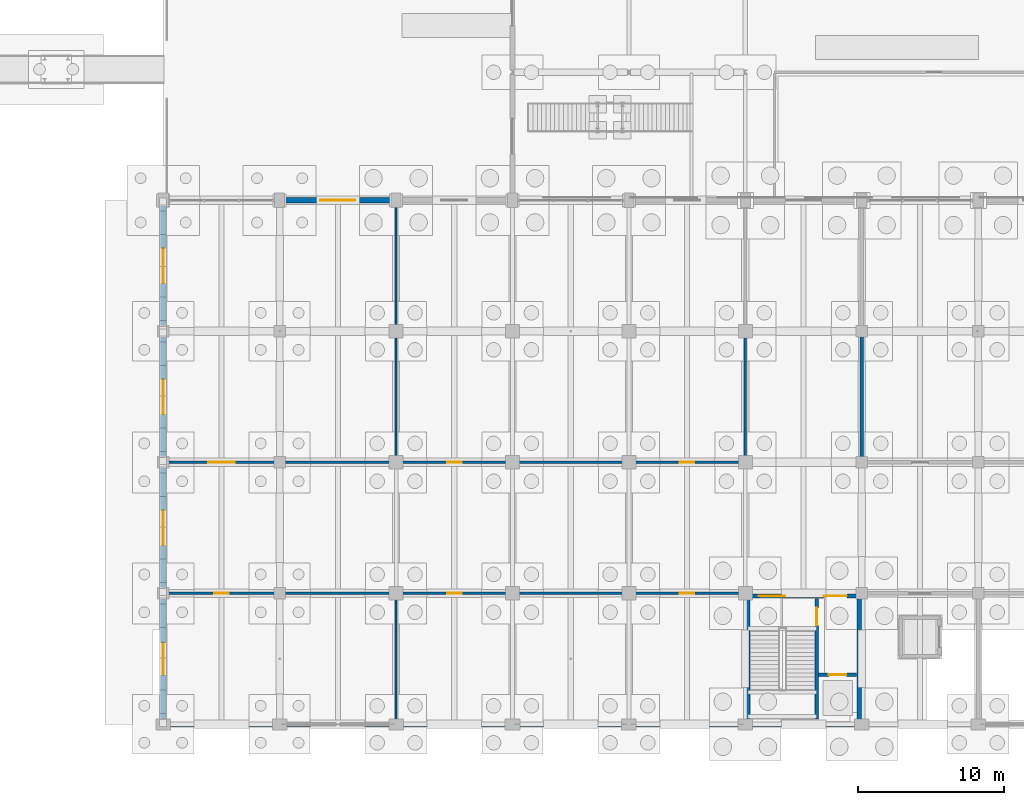
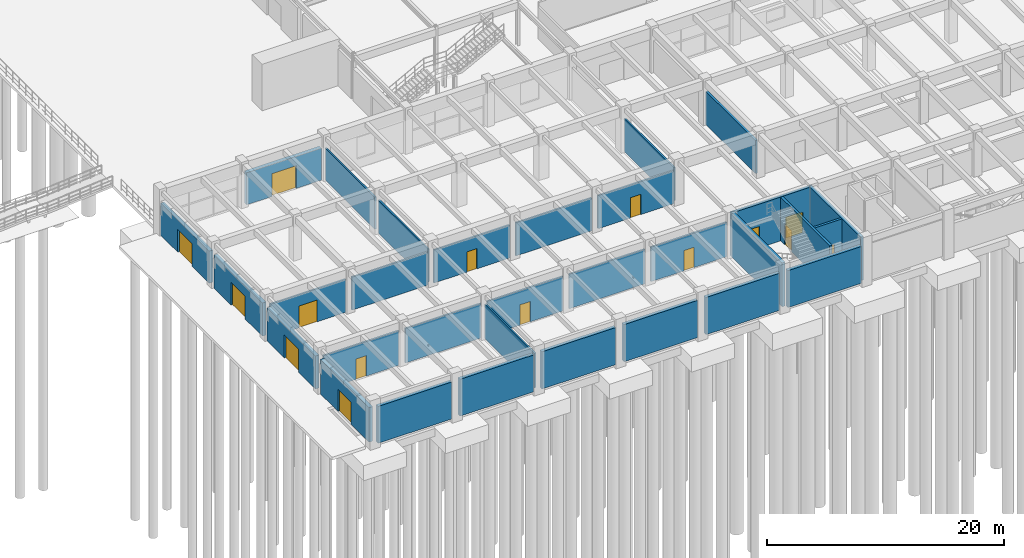
# One storey, part 101 of 147: 31 walls, 15 doors, 15 openings.
"""IFC4 building model written with IfcOpenShell, lengths in metres."""

from ifc_helpers import new_model, si_unit, direction, frame, frame_2d, origin, place, context, subcontext, project, spatial, rectangle, extrude, material, layer, layer_set, type_object, element, fill, save


model = new_model("IFC4")

# Units and contexts
model_context = context("Model", 3, precision=1e-05, world=origin(), true_north=direction((0.0, 1.0)))
body_context = subcontext(model_context, "Body", "Model", "MODEL_VIEW")
ifc_project = project(units=[si_unit("LENGTHUNIT", "METRE"), si_unit("AREAUNIT", "SQUARE_METRE"), si_unit("VOLUMEUNIT", "CUBIC_METRE"), si_unit("PLANEANGLEUNIT", "RADIAN"), si_unit("MASSUNIT", "GRAM", prefix="KILO")], contexts=[model_context])

# Site, building, storey
site_placement = place(None, origin())
site = spatial("IfcSite", under=ifc_project, at=site_placement, CompositionType="ELEMENT")
building_placement = place(site_placement, origin())
building = spatial("IfcBuilding", under=site, at=building_placement, Name="Varnabhumi Central Station", CompositionType="ELEMENT")
storey_placement = place(building_placement, origin())
storey = spatial("IfcBuildingStorey", under=building, at=storey_placement, Name="L00", CompositionType="ELEMENT", Elevation=0.0)

# Walls
ifc_material_1 = material(Name="Autoclaved aerated blockwork masonry", Category="masonry")
ifc_layer_1 = layer(ifc_material_1, 0.219970703125, Name="Autoclaved aerated blockwork masonry", Category="masonry")
ifc_layer_set_1 = layer_set([ifc_layer_1], Name="Autoclaved aerated blockwork masonry")
wall_type_1 = type_object("IfcWallType", Name="WAL-COMP-AAC-220", PredefinedType="SOLIDWALL", material=ifc_layer_set_1)
wall_1_placement = place(storey_placement, frame((48.0, 18.300048828125, 0.0), z_axis=(0.0, 0.0, 1.0), x_axis=(0.0, 1.0, 0.0)))
element("IfcWall", 1, at=wall_1_placement, inside=storey, type_object=wall_type_1, Name="Inbound and Outbound Parcel Store E Partition 1", PredefinedType="SOLIDWALL", context=body_context, shape_type="SweptSolid", body=[
    extrude(rectangle(XDim=8.39990234375, YDim=0.219970703125, at=frame_2d((4.199951171875, 0.0))), origin(), (0.0, 0.0, 1.0), 3.409912109375),
])
ifc_material_2 = material(Name="Concrete M40", Category="concrete")
ifc_layer_2 = layer(ifc_material_2, 0.300048828125, Name="Concrete M40", Category="concrete")
ifc_layer_set_2 = layer_set([ifc_layer_2], Name="Concrete M40")
wall_type_2 = type_object("IfcWallType", Name="WAL-CORE-RC-300", PredefinedType="SHEAR", material=ifc_layer_set_2)
for number, where, z_axis, x_axis, name in (
    (2, (40.179931640625, 0.179931640625, 0.0), (0.0, 0.0, 1.0), (0.0, 1.0, 0.0), "SC1 L00 West Shear Wall"),
    (3, (47.820068359375, 0.179931640625, 0.0), (0.0, 0.0, 1.0), (0.0, 1.0, 0.0), "SC1 L00 East Shear Wall"),
):
    element("IfcWall", number, at=place(storey_placement, frame(where, z_axis=z_axis, x_axis=x_axis)), inside=storey, type_object=wall_type_2, Name=name, PredefinedType="SHEAR", context=body_context, shape_type="SweptSolid", body=[
        extrude(rectangle(XDim=8.64013671875, YDim=0.300048828125, at=frame_2d((4.320068359375, 0.0))), origin(), (0.0, 0.0, 1.0), 4.52001953125),
    ])

# Wall, openings, doors
wall_2_placement = place(storey_placement, frame((40.030029296875, 8.820068359375, 0.0), z_axis=(0.0, 0.0, 1.0), x_axis=(1.0, 0.0, 0.0)))
wall_2 = element("IfcWall", 4, at=wall_2_placement, inside=storey, type_object=wall_type_2, Name="SC1 L00 Corridor Shear Wall", PredefinedType="SHEAR", context=body_context, shape_type="SweptSolid", body=[
    extrude(rectangle(XDim=7.93994140625, YDim=0.300048828125, at=frame_2d((3.969970703125, 0.0))), origin(), (0.0, 0.0, 1.0), 4.52001953125),
])
opening_1_placement = place(wall_2_placement, frame((5.35009765625, 0.0, 0.0)))
opening_1 = element("IfcOpeningElement", 5, at=opening_1_placement, cuts=wall_2, Name="Opening FD-60D", PredefinedType="OPENING", context=body_context, shape_type="SweptSolid", body=[
    extrude(rectangle(XDim=1.60009765625, YDim=2.14990234375, at=frame_2d((0.800048828125, 1.074951171875))), frame((0.0, 0.159912109375, 0.0), z_axis=(0.0, -1.0, 0.0), x_axis=(1.0, 0.0, 0.0)), (0.0, 0.0, 1.0), 0.320068359375),
])
opening_2_placement = place(wall_2_placement, frame((0.89990234375, 0.0, 0.0)))
opening_2 = element("IfcOpeningElement", 6, at=opening_2_placement, cuts=wall_2, Name="Opening FD-120D", PredefinedType="OPENING", context=body_context, shape_type="SweptSolid", body=[
    extrude(rectangle(XDim=1.800048828125, YDim=2.199951171875, at=frame_2d((0.89990234375, 1.10009765625))), frame((0.0, 0.159912109375, 0.0), z_axis=(0.0, -1.0, 0.0), x_axis=(1.0, 0.0, 0.0)), (0.0, 0.0, 1.0), 0.320068359375),
])
ifc_material_3 = material(Name="Stainless steel Grade 316", Category="steel")
door_type_1 = type_object("IfcDoorType", Name="DR-FIRE-120-1800", OperationType="NOTDEFINED", PredefinedType="DOOR", material=ifc_material_3)
door_1_placement = place(opening_2_placement, origin())
door_1 = element("IfcDoor", 7, at=door_1_placement, inside=storey, type_object=door_type_1, Name="ST-S1 L00 Discharge Door", OperationType="DOUBLE_DOOR_SINGLE_SWING", OverallHeight=2.199951171875, OverallWidth=1.800048828125, PredefinedType="DOOR", context=body_context, shape_type="SweptSolid", body=[
    extrude(rectangle(XDim=1.800048828125, YDim=2.199951171875, at=frame_2d((0.89990234375, 1.10009765625))), frame((0.0, 0.02490234375, 0.0), z_axis=(0.0, -1.0, 0.0), x_axis=(1.0, 0.0, 0.0)), (0.0, 0.0, 1.0), 0.050048828125),
])
fill(opening_2, door_1)
ifc_material_4 = material(Name="Intumescent-treated hardwood timber", Category="wood")
door_type_2 = type_object("IfcDoorType", Name="DR-FIRE-60-1600", OperationType="NOTDEFINED", PredefinedType="DOOR", material=ifc_material_4)
door_2_placement = place(opening_1_placement, origin())
door_2 = element("IfcDoor", 8, at=door_2_placement, inside=storey, type_object=door_type_2, Name="SC1 L00 Lobby Fire Door", OperationType="DOUBLE_DOOR_SINGLE_SWING", OverallHeight=2.14990234375, OverallWidth=1.60009765625, PredefinedType="DOOR", context=body_context, shape_type="SweptSolid", body=[
    extrude(rectangle(XDim=1.60009765625, YDim=2.14990234375, at=frame_2d((0.800048828125, 1.074951171875))), frame((0.0, 0.02490234375, 0.0), z_axis=(0.0, -1.0, 0.0), x_axis=(1.0, 0.0, 0.0)), (0.0, 0.0, 1.0), 0.050048828125),
])
fill(opening_1, door_2)

# Wall, opening, door
ifc_material_5 = material(Name="Chunar sandstone masonry", Category="masonry")
ifc_layer_3 = layer(ifc_material_5, 0.360107421875, Name="Chunar sandstone masonry", Category="masonry")
ifc_layer_set_3 = layer_set([ifc_layer_3], Name="Chunar sandstone masonry")
wall_type_3 = type_object("IfcWallType", Name="WAL-EXT-SANDSTONE-360", PredefinedType="SOLIDWALL", material=ifc_layer_set_3)
wall_3_placement = place(storey_placement, frame((8.344970703125, 36.0, 0.0), z_axis=(0.0, 0.0, 1.0), x_axis=(1.0, 0.0, 0.0)))
wall_3 = element("IfcWall", 9, at=wall_3_placement, inside=storey, type_object=wall_type_3, Name="South Spine Wall L00-2", PredefinedType="SOLIDWALL", context=body_context, shape_type="SweptSolid", body=[
    extrude(rectangle(XDim=7.31005859375, YDim=0.360107421875, at=frame_2d((3.655029296875, 0.0))), origin(), (0.0, 0.0, 1.0), 3.31005859375),
])
opening_3_placement = place(wall_3_placement, frame((2.455078125, 0.0, 0.0)))
opening_3 = element("IfcOpeningElement", 10, at=opening_3_placement, cuts=wall_3, Name="Opening ED-1", PredefinedType="OPENING", context=body_context, shape_type="SweptSolid", body=[
    extrude(rectangle(XDim=2.39990234375, YDim=2.35009765625, at=frame_2d((1.199951171875, 1.175048828125))), frame((0.0, 0.18994140625, 0.0), z_axis=(0.0, -1.0, 0.0), x_axis=(1.0, 0.0, 0.0)), (0.0, 0.0, 1.0), 0.380126953125),
])
ifc_material_6 = material(Name="Anodised aluminium 6063-T6", Category="aluminium")
door_type_3 = type_object("IfcDoorType", Name="DR-EXT-PORTAL-2400", OperationType="NOTDEFINED", PredefinedType="DOOR", material=ifc_material_6)
door_3_placement = place(opening_3_placement, origin())
door_3 = element("IfcDoor", 11, at=door_3_placement, inside=storey, type_object=door_type_3, Name="South Spine Portal 2", OperationType="DOUBLE_DOOR_SINGLE_SWING", OverallHeight=2.35009765625, OverallWidth=2.39990234375, PredefinedType="DOOR", context=body_context, shape_type="SweptSolid", body=[
    extrude(rectangle(XDim=2.39990234375, YDim=2.35009765625, at=frame_2d((1.199951171875, 1.175048828125))), frame((0.0, 0.02490234375, 0.0), z_axis=(0.0, -1.0, 0.0), x_axis=(1.0, 0.0, 0.0)), (0.0, 0.0, 1.0), 0.050048828125),
])
fill(opening_3, door_3)

wall_4_placement = place(storey_placement, frame((0.0, 0.3701171875, 0.0), z_axis=(0.0, 0.0, 1.0), x_axis=(0.0, 1.0, 0.0)))
wall_4 = element("IfcWall", 12, at=wall_4_placement, inside=storey, type_object=wall_type_3, Name="South Wing E End Wall L00-1", PredefinedType="SOLIDWALL", context=body_context, shape_type="SweptSolid", body=[
    extrude(rectangle(XDim=8.22998046875, YDim=0.360107421875, at=frame_2d((4.114990234375, 0.0))), origin(), (0.0, 0.0, 1.0), 3.56005859375),
])
opening_4_placement = place(wall_4_placement, frame((3.030029296875, 0.0, 0.0)))
opening_4 = element("IfcOpeningElement", 13, at=opening_4_placement, cuts=wall_4, Name="Opening ED-5", PredefinedType="OPENING", context=body_context, shape_type="SweptSolid", body=[
    extrude(rectangle(XDim=2.199951171875, YDim=2.300048828125, at=frame_2d((1.10009765625, 1.14990234375))), frame((0.0, 0.18994140625, 0.0), z_axis=(0.0, -1.0, 0.0), x_axis=(1.0, 0.0, 0.0)), (0.0, 0.0, 1.0), 0.380126953125),
])
door_type_4 = type_object("IfcDoorType", Name="DR-EXT-PLANT-2200", OperationType="NOTDEFINED", PredefinedType="DOOR", material=ifc_material_3)
door_4_placement = place(opening_4_placement, frame((2.199951171875, 0.0, 0.0), z_axis=(0.0, 0.0, 1.0), x_axis=(-1.0, 0.0, 0.0)))
door_4 = element("IfcDoor", 14, at=door_4_placement, inside=storey, type_object=door_type_4, Name="South E Service Exit Door", OperationType="DOUBLE_DOOR_SINGLE_SWING", OverallHeight=2.300048828125, OverallWidth=2.199951171875, PredefinedType="DOOR", context=body_context, shape_type="SweptSolid", body=[
    extrude(rectangle(XDim=2.199951171875, YDim=2.300048828125, at=frame_2d((1.10009765625, 1.14990234375))), frame((0.0, 0.02490234375, 0.0), z_axis=(0.0, -1.0, 0.0), x_axis=(1.0, 0.0, 0.0)), (0.0, 0.0, 1.0), 0.050048828125),
])
fill(opening_4, door_4)

wall_5_placement = place(storey_placement, frame((0.0, 9.39990234375, 0.0), z_axis=(0.0, 0.0, 1.0), x_axis=(0.0, 1.0, 0.0)))
wall_5 = element("IfcWall", 15, at=wall_5_placement, inside=storey, type_object=wall_type_3, Name="South Wing E End Wall L00-2", PredefinedType="SOLIDWALL", context=body_context, shape_type="SweptSolid", body=[
    extrude(rectangle(XDim=8.2001953125, YDim=0.360107421875, at=frame_2d((4.10009765625, 0.0))), origin(), (0.0, 0.0, 1.0), 3.409912109375),
])
opening_5_placement = place(wall_5_placement, frame((2.89990234375, 0.0, 0.0)))
opening_5 = element("IfcOpeningElement", 16, at=opening_5_placement, cuts=wall_5, Name="Opening ED-1", PredefinedType="OPENING", context=body_context, shape_type="SweptSolid", body=[
    extrude(rectangle(XDim=2.39990234375, YDim=2.35009765625, at=frame_2d((1.199951171875, 1.175048828125))), frame((0.0, 0.18994140625, 0.0), z_axis=(0.0, -1.0, 0.0), x_axis=(1.0, 0.0, 0.0)), (0.0, 0.0, 1.0), 0.380126953125),
])
door_5_placement = place(opening_5_placement, frame((2.39990234375, 0.0, 0.0), z_axis=(0.0, 0.0, 1.0), x_axis=(-1.0, 0.0, 0.0)))
door_5 = element("IfcDoor", 17, at=door_5_placement, inside=storey, type_object=door_type_3, Name="South E Exit Door 2", OperationType="DOUBLE_DOOR_SINGLE_SWING", OverallHeight=2.35009765625, OverallWidth=2.39990234375, PredefinedType="DOOR", context=body_context, shape_type="SweptSolid", body=[
    extrude(rectangle(XDim=2.39990234375, YDim=2.35009765625, at=frame_2d((1.199951171875, 1.175048828125))), frame((0.0, 0.02490234375, 0.0), z_axis=(0.0, -1.0, 0.0), x_axis=(1.0, 0.0, 0.0)), (0.0, 0.0, 1.0), 0.050048828125),
])
fill(opening_5, door_5)

wall_6_placement = place(storey_placement, frame((0.0, 18.39990234375, 0.0), z_axis=(0.0, 0.0, 1.0), x_axis=(0.0, 1.0, 0.0)))
wall_6 = element("IfcWall", 18, at=wall_6_placement, inside=storey, type_object=wall_type_3, Name="South Wing E End Wall L00-3", PredefinedType="SOLIDWALL", context=body_context, shape_type="SweptSolid", body=[
    extrude(rectangle(XDim=8.2001953125, YDim=0.360107421875, at=frame_2d((4.10009765625, 0.0))), origin(), (0.0, 0.0, 1.0), 3.409912109375),
])
opening_6_placement = place(wall_6_placement, frame((2.89990234375, 0.0, 0.0)))
opening_6 = element("IfcOpeningElement", 19, at=opening_6_placement, cuts=wall_6, Name="Opening ED-1", PredefinedType="OPENING", context=body_context, shape_type="SweptSolid", body=[
    extrude(rectangle(XDim=2.39990234375, YDim=2.35009765625, at=frame_2d((1.199951171875, 1.175048828125))), frame((0.0, 0.18994140625, 0.0), z_axis=(0.0, -1.0, 0.0), x_axis=(1.0, 0.0, 0.0)), (0.0, 0.0, 1.0), 0.380126953125),
])
door_6_placement = place(opening_6_placement, frame((2.39990234375, 0.0, 0.0), z_axis=(0.0, 0.0, 1.0), x_axis=(-1.0, 0.0, 0.0)))
door_6 = element("IfcDoor", 20, at=door_6_placement, inside=storey, type_object=door_type_3, Name="South E Exit Door 3", OperationType="DOUBLE_DOOR_SINGLE_SWING", OverallHeight=2.35009765625, OverallWidth=2.39990234375, PredefinedType="DOOR", context=body_context, shape_type="SweptSolid", body=[
    extrude(rectangle(XDim=2.39990234375, YDim=2.35009765625, at=frame_2d((1.199951171875, 1.175048828125))), frame((0.0, 0.02490234375, 0.0), z_axis=(0.0, -1.0, 0.0), x_axis=(1.0, 0.0, 0.0)), (0.0, 0.0, 1.0), 0.050048828125),
])
fill(opening_6, door_6)

wall_7_placement = place(storey_placement, frame((0.0, 27.39990234375, 0.0), z_axis=(0.0, 0.0, 1.0), x_axis=(0.0, 1.0, 0.0)))
wall_7 = element("IfcWall", 21, at=wall_7_placement, inside=storey, type_object=wall_type_3, Name="South Wing E End Wall L00-4", PredefinedType="SOLIDWALL", context=body_context, shape_type="SweptSolid", body=[
    extrude(rectangle(XDim=8.2001953125, YDim=0.360107421875, at=frame_2d((4.10009765625, 0.0))), origin(), (0.0, 0.0, 1.0), 3.31005859375),
])
opening_7_placement = place(wall_7_placement, frame((2.89990234375, 0.0, 0.0)))
opening_7 = element("IfcOpeningElement", 22, at=opening_7_placement, cuts=wall_7, Name="Opening ED-1", PredefinedType="OPENING", context=body_context, shape_type="SweptSolid", body=[
    extrude(rectangle(XDim=2.39990234375, YDim=2.35009765625, at=frame_2d((1.199951171875, 1.175048828125))), frame((0.0, 0.18994140625, 0.0), z_axis=(0.0, -1.0, 0.0), x_axis=(1.0, 0.0, 0.0)), (0.0, 0.0, 1.0), 0.380126953125),
])
door_7_placement = place(opening_7_placement, frame((2.39990234375, 0.0, 0.0), z_axis=(0.0, 0.0, 1.0), x_axis=(-1.0, 0.0, 0.0)))
door_7 = element("IfcDoor", 23, at=door_7_placement, inside=storey, type_object=door_type_3, Name="South E Exit Door 4", OperationType="DOUBLE_DOOR_SINGLE_SWING", OverallHeight=2.35009765625, OverallWidth=2.39990234375, PredefinedType="DOOR", context=body_context, shape_type="SweptSolid", body=[
    extrude(rectangle(XDim=2.39990234375, YDim=2.35009765625, at=frame_2d((1.199951171875, 1.175048828125))), frame((0.0, 0.02490234375, 0.0), z_axis=(0.0, -1.0, 0.0), x_axis=(1.0, 0.0, 0.0)), (0.0, 0.0, 1.0), 0.050048828125),
])
fill(opening_7, door_7)

ifc_layer_4 = layer(ifc_material_1, 0.159912109375, Name="Autoclaved aerated blockwork masonry", Category="masonry")
ifc_layer_set_4 = layer_set([ifc_layer_4], Name="Autoclaved aerated blockwork masonry")
wall_type_4 = type_object("IfcWallType", Name="WAL-PART-AAC-160", PredefinedType="PARTITIONING", material=ifc_layer_set_4)
wall_8_placement = place(storey_placement, frame((0.300048828125, 18.0, 0.0), z_axis=(0.0, 0.0, 1.0), x_axis=(1.0, 0.0, 0.0)))
wall_8 = element("IfcWall", 24, at=wall_8_placement, inside=storey, type_object=wall_type_4, Name="Forecourt Taxi and Bus Waiting Arcade Corridor Partition 1", PredefinedType="PARTITIONING", context=body_context, shape_type="SweptSolid", body=[
    extrude(rectangle(XDim=7.39990234375, YDim=0.159912109375, at=frame_2d((3.699951171875, 0.0))), origin(), (0.0, 0.0, 1.0), 3.409912109375),
])
opening_8_placement = place(wall_8_placement, frame((2.800048828125, 0.0, 0.0)))
opening_8 = element("IfcOpeningElement", 25, at=opening_8_placement, cuts=wall_8, Name="Opening D-02", PredefinedType="OPENING", context=body_context, shape_type="SweptSolid", body=[
    extrude(rectangle(XDim=1.800048828125, YDim=2.25, at=frame_2d((0.89990234375, 1.125))), frame((0.0, 0.08984375, 0.0), z_axis=(0.0, -1.0, 0.0), x_axis=(1.0, 0.0, 0.0)), (0.0, 0.0, 1.0), 0.179931640625),
])
door_type_5 = type_object("IfcDoorType", Name="DR-LOUNGE-1800", OperationType="NOTDEFINED", PredefinedType="DOOR", material=ifc_material_6)
door_8_placement = place(opening_8_placement, frame((1.800048828125, 0.0, 0.0), z_axis=(0.0, 0.0, 1.0), x_axis=(-1.0, 0.0, 0.0)))
door_8 = element("IfcDoor", 26, at=door_8_placement, inside=storey, type_object=door_type_5, Name="Forecourt Taxi and Bus Waiting Arcade Door 1", OperationType="DOUBLE_DOOR_SINGLE_SWING", OverallHeight=2.25, OverallWidth=1.800048828125, PredefinedType="DOOR", context=body_context, shape_type="SweptSolid", body=[
    extrude(rectangle(XDim=1.800048828125, YDim=2.25, at=frame_2d((0.89990234375, 1.125))), frame((0.0, 0.02490234375, 0.0), z_axis=(0.0, -1.0, 0.0), x_axis=(1.0, 0.0, 0.0)), (0.0, 0.0, 1.0), 0.050048828125),
])
fill(opening_8, door_8)

# Walls
wall_9_placement = place(storey_placement, frame((8.300048828125, 18.0, 0.0), z_axis=(0.0, 0.0, 1.0), x_axis=(1.0, 0.0, 0.0)))
element("IfcWall", 27, at=wall_9_placement, inside=storey, type_object=wall_type_4, Name="Forecourt Taxi and Bus Waiting Arcade Corridor Partition 2", PredefinedType="PARTITIONING", context=body_context, shape_type="SweptSolid", body=[
    extrude(rectangle(XDim=7.39990234375, YDim=0.159912109375, at=frame_2d((3.699951171875, 0.0))), origin(), (0.0, 0.0, 1.0), 3.409912109375),
])
wall_10_placement = place(storey_placement, frame((16.0, 18.300048828125, 0.0), z_axis=(0.0, 0.0, 1.0), x_axis=(0.0, 1.0, 0.0)))
element("IfcWall", 28, at=wall_10_placement, inside=storey, type_object=wall_type_4, Name="Forecourt Taxi and Bus Waiting Arcade W Partition 1", PredefinedType="PARTITIONING", context=body_context, shape_type="SweptSolid", body=[
    extrude(rectangle(XDim=8.39990234375, YDim=0.159912109375, at=frame_2d((4.199951171875, 0.0))), origin(), (0.0, 0.0, 1.0), 3.409912109375),
])
wall_11_placement = place(storey_placement, frame((16.0, 27.300048828125, 0.0), z_axis=(0.0, 0.0, 1.0), x_axis=(0.0, 1.0, 0.0)))
element("IfcWall", 29, at=wall_11_placement, inside=storey, type_object=wall_type_4, Name="Forecourt Taxi and Bus Waiting Arcade W Partition 2", PredefinedType="PARTITIONING", context=body_context, shape_type="SweptSolid", body=[
    extrude(rectangle(XDim=8.39990234375, YDim=0.159912109375, at=frame_2d((4.199951171875, 0.0))), origin(), (0.0, 0.0, 1.0), 3.31005859375),
])

# Wall, opening, door
wall_12_placement = place(storey_placement, frame((0.300048828125, 9.0, 0.0), z_axis=(0.0, 0.0, 1.0), x_axis=(1.0, 0.0, 0.0)))
wall_12 = element("IfcWall", 30, at=wall_12_placement, inside=storey, type_object=wall_type_4, Name="Railway Tourist Assistance and Security Desk Corridor Partition 1", PredefinedType="PARTITIONING", context=body_context, shape_type="SweptSolid", body=[
    extrude(rectangle(XDim=7.39990234375, YDim=0.159912109375, at=frame_2d((3.699951171875, 0.0))), origin(), (0.0, 0.0, 1.0), 3.56005859375),
])
opening_9_placement = place(wall_12_placement, frame((3.199951171875, 0.0, 0.0)))
opening_9 = element("IfcOpeningElement", 31, at=opening_9_placement, cuts=wall_12, Name="Opening D-01", PredefinedType="OPENING", context=body_context, shape_type="SweptSolid", body=[
    extrude(rectangle(XDim=1.0, YDim=2.10009765625, at=frame_2d((0.5, 1.050048828125))), frame((0.0, 0.08984375, 0.0), z_axis=(0.0, -1.0, 0.0), x_axis=(1.0, 0.0, 0.0)), (0.0, 0.0, 1.0), 0.179931640625),
])
door_type_6 = type_object("IfcDoorType", Name="DR-ROOM-1000", OperationType="NOTDEFINED", PredefinedType="DOOR", material=ifc_material_4)
door_9_placement = place(opening_9_placement, origin())
door_9 = element("IfcDoor", 32, at=door_9_placement, inside=storey, type_object=door_type_6, Name="Railway Tourist Assistance and Security Desk Door 1", OperationType="SINGLE_SWING_RIGHT", OverallHeight=2.10009765625, OverallWidth=1.0, PredefinedType="DOOR", context=body_context, shape_type="SweptSolid", body=[
    extrude(rectangle(XDim=1.0, YDim=2.10009765625, at=frame_2d((0.5, 1.050048828125))), frame((0.0, 0.02490234375, 0.0), z_axis=(0.0, -1.0, 0.0), x_axis=(1.0, 0.0, 0.0)), (0.0, 0.0, 1.0), 0.050048828125),
])
fill(opening_9, door_9)

# Walls
wall_13_placement = place(storey_placement, frame((8.300048828125, 9.0, 0.0), z_axis=(0.0, 0.0, 1.0), x_axis=(1.0, 0.0, 0.0)))
element("IfcWall", 33, at=wall_13_placement, inside=storey, type_object=wall_type_4, Name="Railway Tourist Assistance and Security Desk Corridor Partition 2", PredefinedType="PARTITIONING", context=body_context, shape_type="SweptSolid", body=[
    extrude(rectangle(XDim=7.39990234375, YDim=0.159912109375, at=frame_2d((3.699951171875, 0.0))), origin(), (0.0, 0.0, 1.0), 3.56005859375),
])
wall_14_placement = place(storey_placement, frame((16.0, 0.300048828125, 0.0), z_axis=(0.0, 0.0, 1.0), x_axis=(0.0, 1.0, 0.0)))
element("IfcWall", 34, at=wall_14_placement, inside=storey, type_object=wall_type_4, Name="Railway Tourist Assistance and Security Desk W Partition 1", PredefinedType="PARTITIONING", context=body_context, shape_type="SweptSolid", body=[
    extrude(rectangle(XDim=8.39990234375, YDim=0.159912109375, at=frame_2d((4.199951171875, 0.0))), origin(), (0.0, 0.0, 1.0), 3.56005859375),
])

# Wall, opening, door
wall_15_placement = place(storey_placement, frame((16.300048828125, 18.0, 0.0), z_axis=(0.0, 0.0, 1.0), x_axis=(1.0, 0.0, 0.0)))
wall_15 = element("IfcWall", 35, at=wall_15_placement, inside=storey, type_object=wall_type_4, Name="Parcel Booking and Weighment Office Corridor Partition 1", PredefinedType="PARTITIONING", context=body_context, shape_type="SweptSolid", body=[
    extrude(rectangle(XDim=7.39990234375, YDim=0.159912109375, at=frame_2d((3.699951171875, 0.0))), origin(), (0.0, 0.0, 1.0), 3.409912109375),
])
opening_10_placement = place(wall_15_placement, frame((3.199951171875, 0.0, 0.0)))
opening_10 = element("IfcOpeningElement", 36, at=opening_10_placement, cuts=wall_15, Name="Opening D-01", PredefinedType="OPENING", context=body_context, shape_type="SweptSolid", body=[
    extrude(rectangle(XDim=1.0, YDim=2.10009765625, at=frame_2d((0.5, 1.050048828125))), frame((0.0, 0.08984375, 0.0), z_axis=(0.0, -1.0, 0.0), x_axis=(1.0, 0.0, 0.0)), (0.0, 0.0, 1.0), 0.179931640625),
])
door_10_placement = place(opening_10_placement, frame((1.0, 0.0, 0.0), z_axis=(0.0, 0.0, 1.0), x_axis=(-1.0, 0.0, 0.0)))
door_10 = element("IfcDoor", 37, at=door_10_placement, inside=storey, type_object=door_type_6, Name="Parcel Booking and Weighment Office Door 1", OperationType="SINGLE_SWING_LEFT", OverallHeight=2.10009765625, OverallWidth=1.0, PredefinedType="DOOR", context=body_context, shape_type="SweptSolid", body=[
    extrude(rectangle(XDim=1.0, YDim=2.10009765625, at=frame_2d((0.5, 1.050048828125))), frame((0.0, 0.02490234375, 0.0), z_axis=(0.0, -1.0, 0.0), x_axis=(1.0, 0.0, 0.0)), (0.0, 0.0, 1.0), 0.050048828125),
])
fill(opening_10, door_10)

# Wall
wall_16_placement = place(storey_placement, frame((24.300048828125, 18.0, 0.0), z_axis=(0.0, 0.0, 1.0), x_axis=(1.0, 0.0, 0.0)))
element("IfcWall", 38, at=wall_16_placement, inside=storey, type_object=wall_type_4, Name="Parcel Booking and Weighment Office Corridor Partition 2", PredefinedType="PARTITIONING", context=body_context, shape_type="SweptSolid", body=[
    extrude(rectangle(XDim=7.39990234375, YDim=0.159912109375, at=frame_2d((3.699951171875, 0.0))), origin(), (0.0, 0.0, 1.0), 3.409912109375),
])

# Wall, opening, door
wall_17_placement = place(storey_placement, frame((32.300048828125, 18.0, 0.0), z_axis=(0.0, 0.0, 1.0), x_axis=(1.0, 0.0, 0.0)))
wall_17 = element("IfcWall", 39, at=wall_17_placement, inside=storey, type_object=wall_type_4, Name="Parcel Booking and Weighment Office Corridor Partition 3", PredefinedType="PARTITIONING", context=body_context, shape_type="SweptSolid", body=[
    extrude(rectangle(XDim=7.39990234375, YDim=0.159912109375, at=frame_2d((3.699951171875, 0.0))), origin(), (0.0, 0.0, 1.0), 3.409912109375),
])
opening_11_placement = place(wall_17_placement, frame((3.199951171875, 0.0, 0.0)))
opening_11 = element("IfcOpeningElement", 40, at=opening_11_placement, cuts=wall_17, Name="Opening D-01", PredefinedType="OPENING", context=body_context, shape_type="SweptSolid", body=[
    extrude(rectangle(XDim=1.0, YDim=2.10009765625, at=frame_2d((0.5, 1.050048828125))), frame((0.0, 0.08984375, 0.0), z_axis=(0.0, -1.0, 0.0), x_axis=(1.0, 0.0, 0.0)), (0.0, 0.0, 1.0), 0.179931640625),
])
door_11_placement = place(opening_11_placement, frame((1.0, 0.0, 0.0), z_axis=(0.0, 0.0, 1.0), x_axis=(-1.0, 0.0, 0.0)))
door_11 = element("IfcDoor", 41, at=door_11_placement, inside=storey, type_object=door_type_6, Name="Parcel Booking and Weighment Office Door 3", OperationType="SINGLE_SWING_RIGHT", OverallHeight=2.10009765625, OverallWidth=1.0, PredefinedType="DOOR", context=body_context, shape_type="SweptSolid", body=[
    extrude(rectangle(XDim=1.0, YDim=2.10009765625, at=frame_2d((0.5, 1.050048828125))), frame((0.0, 0.02490234375, 0.0), z_axis=(0.0, -1.0, 0.0), x_axis=(1.0, 0.0, 0.0)), (0.0, 0.0, 1.0), 0.050048828125),
])
fill(opening_11, door_11)

# Wall
wall_18_placement = place(storey_placement, frame((40.0, 18.300048828125, 0.0), z_axis=(0.0, 0.0, 1.0), x_axis=(0.0, 1.0, 0.0)))
element("IfcWall", 42, at=wall_18_placement, inside=storey, type_object=wall_type_4, Name="Parcel Booking and Weighment Office W Partition 1", PredefinedType="PARTITIONING", context=body_context, shape_type="SweptSolid", body=[
    extrude(rectangle(XDim=8.39990234375, YDim=0.159912109375, at=frame_2d((4.199951171875, 0.0))), origin(), (0.0, 0.0, 1.0), 3.409912109375),
])

# Wall, opening, door
wall_19_placement = place(storey_placement, frame((16.300048828125, 9.0, 0.0), z_axis=(0.0, 0.0, 1.0), x_axis=(1.0, 0.0, 0.0)))
wall_19 = element("IfcWall", 43, at=wall_19_placement, inside=storey, type_object=wall_type_4, Name="Railway Protection Force Security Post Corridor Partition 1", PredefinedType="PARTITIONING", context=body_context, shape_type="SweptSolid", body=[
    extrude(rectangle(XDim=7.39990234375, YDim=0.159912109375, at=frame_2d((3.699951171875, 0.0))), origin(), (0.0, 0.0, 1.0), 3.56005859375),
])
opening_12_placement = place(wall_19_placement, frame((3.199951171875, 0.0, 0.0)))
opening_12 = element("IfcOpeningElement", 44, at=opening_12_placement, cuts=wall_19, Name="Opening D-01", PredefinedType="OPENING", context=body_context, shape_type="SweptSolid", body=[
    extrude(rectangle(XDim=1.0, YDim=2.10009765625, at=frame_2d((0.5, 1.050048828125))), frame((0.0, 0.08984375, 0.0), z_axis=(0.0, -1.0, 0.0), x_axis=(1.0, 0.0, 0.0)), (0.0, 0.0, 1.0), 0.179931640625),
])
door_12_placement = place(opening_12_placement, origin())
door_12 = element("IfcDoor", 45, at=door_12_placement, inside=storey, type_object=door_type_6, Name="Railway Protection Force Security Post Door 1", OperationType="SINGLE_SWING_LEFT", OverallHeight=2.10009765625, OverallWidth=1.0, PredefinedType="DOOR", context=body_context, shape_type="SweptSolid", body=[
    extrude(rectangle(XDim=1.0, YDim=2.10009765625, at=frame_2d((0.5, 1.050048828125))), frame((0.0, 0.02490234375, 0.0), z_axis=(0.0, -1.0, 0.0), x_axis=(1.0, 0.0, 0.0)), (0.0, 0.0, 1.0), 0.050048828125),
])
fill(opening_12, door_12)

# Wall
wall_20_placement = place(storey_placement, frame((24.300048828125, 9.0, 0.0), z_axis=(0.0, 0.0, 1.0), x_axis=(1.0, 0.0, 0.0)))
element("IfcWall", 46, at=wall_20_placement, inside=storey, type_object=wall_type_4, Name="Railway Protection Force Security Post Corridor Partition 2", PredefinedType="PARTITIONING", context=body_context, shape_type="SweptSolid", body=[
    extrude(rectangle(XDim=7.39990234375, YDim=0.159912109375, at=frame_2d((3.699951171875, 0.0))), origin(), (0.0, 0.0, 1.0), 3.56005859375),
])

# Wall, opening, door
wall_21_placement = place(storey_placement, frame((32.300048828125, 9.0, 0.0), z_axis=(0.0, 0.0, 1.0), x_axis=(1.0, 0.0, 0.0)))
wall_21 = element("IfcWall", 47, at=wall_21_placement, inside=storey, type_object=wall_type_4, Name="Railway Protection Force Security Post Corridor Partition 3", PredefinedType="PARTITIONING", context=body_context, shape_type="SweptSolid", body=[
    extrude(rectangle(XDim=7.39990234375, YDim=0.159912109375, at=frame_2d((3.699951171875, 0.0))), origin(), (0.0, 0.0, 1.0), 3.56005859375),
])
opening_13_placement = place(wall_21_placement, frame((3.199951171875, 0.0, 0.0)))
opening_13 = element("IfcOpeningElement", 48, at=opening_13_placement, cuts=wall_21, Name="Opening D-01", PredefinedType="OPENING", context=body_context, shape_type="SweptSolid", body=[
    extrude(rectangle(XDim=1.0, YDim=2.10009765625, at=frame_2d((0.5, 1.050048828125))), frame((0.0, 0.08984375, 0.0), z_axis=(0.0, -1.0, 0.0), x_axis=(1.0, 0.0, 0.0)), (0.0, 0.0, 1.0), 0.179931640625),
])
door_13_placement = place(opening_13_placement, origin())
door_13 = element("IfcDoor", 49, at=door_13_placement, inside=storey, type_object=door_type_6, Name="Railway Protection Force Security Post Door 3", OperationType="SINGLE_SWING_RIGHT", OverallHeight=2.10009765625, OverallWidth=1.0, PredefinedType="DOOR", context=body_context, shape_type="SweptSolid", body=[
    extrude(rectangle(XDim=1.0, YDim=2.10009765625, at=frame_2d((0.5, 1.050048828125))), frame((0.0, 0.02490234375, 0.0), z_axis=(0.0, -1.0, 0.0), x_axis=(1.0, 0.0, 0.0)), (0.0, 0.0, 1.0), 0.050048828125),
])
fill(opening_13, door_13)

ifc_layer_5 = layer(ifc_material_2, 0.239990234375, Name="Concrete M40", Category="concrete")
ifc_layer_set_5 = layer_set([ifc_layer_5], Name="Concrete M40")
wall_type_5 = type_object("IfcWallType", Name="WAL-SHAFT-RC-240", PredefinedType="SHEAR", material=ifc_layer_set_5)
wall_22_placement = place(storey_placement, frame((44.89990234375, 0.35009765625, 0.0), z_axis=(0.0, 0.0, 1.0), x_axis=(0.0, 1.0, 0.0)))
wall_22 = element("IfcWall", 50, at=wall_22_placement, inside=storey, type_object=wall_type_5, Name="SC1 L00 Stair-Lobby Divider Wall", PredefinedType="SHEAR", context=body_context, shape_type="SweptSolid", body=[
    extrude(rectangle(XDim=8.2998046875, YDim=0.239990234375, at=frame_2d((4.14990234375, 0.0))), origin(), (0.0, 0.0, 1.0), 4.52001953125),
])
opening_14_placement = place(wall_22_placement, frame((6.449951171875, 0.0, 0.0)))
opening_14 = element("IfcOpeningElement", 51, at=opening_14_placement, cuts=wall_22, Name="Opening FD-120", PredefinedType="OPENING", context=body_context, shape_type="SweptSolid", body=[
    extrude(rectangle(XDim=1.199951171875, YDim=2.14990234375, at=frame_2d((0.60009765625, 1.074951171875))), frame((0.0, 0.1298828125, 0.0), z_axis=(0.0, -1.0, 0.0), x_axis=(1.0, 0.0, 0.0)), (0.0, 0.0, 1.0), 0.260009765625),
])
door_type_7 = type_object("IfcDoorType", Name="DR-FIRE-120-1200", OperationType="NOTDEFINED", PredefinedType="DOOR", material=ifc_material_3)
door_14_placement = place(opening_14_placement, frame((1.199951171875, 0.0, 0.0), z_axis=(0.0, 0.0, 1.0), x_axis=(-1.0, 0.0, 0.0)))
door_14 = element("IfcDoor", 52, at=door_14_placement, inside=storey, type_object=door_type_7, Name="ST-S1 L00 Fire Door", OperationType="SINGLE_SWING_LEFT", OverallHeight=2.14990234375, OverallWidth=1.199951171875, PredefinedType="DOOR", context=body_context, shape_type="SweptSolid", body=[
    extrude(rectangle(XDim=1.199951171875, YDim=2.14990234375, at=frame_2d((0.60009765625, 1.074951171875))), frame((0.0, 0.02490234375, 0.0), z_axis=(0.0, -1.0, 0.0), x_axis=(1.0, 0.0, 0.0)), (0.0, 0.0, 1.0), 0.050048828125),
])
fill(opening_14, door_14)

wall_23_placement = place(storey_placement, frame((45.02001953125, 3.39990234375, 0.0), z_axis=(0.0, 0.0, 1.0), x_axis=(1.0, 0.0, 0.0)))
wall_23 = element("IfcWall", 53, at=wall_23_placement, inside=storey, type_object=wall_type_5, Name="FL-1 L00 Lift Shaft Front Wall", PredefinedType="SHEAR", context=body_context, shape_type="SweptSolid", body=[
    extrude(rectangle(XDim=2.6298828125, YDim=0.239990234375, at=frame_2d((1.31494140625, 0.0))), origin(), (0.0, 0.0, 1.0), 4.52001953125),
])
opening_15_placement = place(wall_23_placement, frame((0.715087890625, 0.0, 0.0)))
opening_15 = element("IfcOpeningElement", 54, at=opening_15_placement, cuts=wall_23, Name="Opening LD-FL-1", PredefinedType="OPENING", context=body_context, shape_type="SweptSolid", body=[
    extrude(rectangle(XDim=1.199951171875, YDim=2.14990234375, at=frame_2d((0.60009765625, 1.074951171875))), frame((0.0, 0.1298828125, 0.0), z_axis=(0.0, -1.0, 0.0), x_axis=(1.0, 0.0, 0.0)), (0.0, 0.0, 1.0), 0.260009765625),
])
door_type_8 = type_object("IfcDoorType", Name="DR-LIFT-FIRE-1200", OperationType="NOTDEFINED", PredefinedType="DOOR", material=ifc_material_3)
door_15_placement = place(opening_15_placement, origin())
door_15 = element("IfcDoor", 55, at=door_15_placement, inside=storey, type_object=door_type_8, Name="Lift Landing Door FL-1 L00", OperationType="DOUBLE_DOOR_SLIDING", OverallHeight=2.14990234375, OverallWidth=1.199951171875, PredefinedType="DOOR", context=body_context, shape_type="SweptSolid", body=[
    extrude(rectangle(XDim=1.199951171875, YDim=2.14990234375, at=frame_2d((0.60009765625, 1.074951171875))), frame((0.0, 0.02490234375, 0.0), z_axis=(0.0, -1.0, 0.0), x_axis=(1.0, 0.0, 0.0)), (0.0, 0.0, 1.0), 0.050048828125),
])
fill(opening_15, door_15)

# Walls
ifc_layer_6 = layer(ifc_material_2, 0.340087890625, Name="Concrete M40", Category="concrete")
ifc_layer_set_6 = layer_set([ifc_layer_6], Name="Concrete M40")
wall_type_6 = type_object("IfcWallType", Name="WAL-SOUTH-FIRE-340", PredefinedType="SOLIDWALL", material=ifc_layer_set_6)
for number, where, z_axis, x_axis, name in (
    (56, (0.39990234375, 0.0, 0.0), (0.0, 0.0, 1.0), (1.0, 0.0, 0.0), "South Infill Boundary Fire Wall L00-1"),
    (57, (8.39990234375, 0.0, 0.0), (0.0, 0.0, 1.0), (1.0, 0.0, 0.0), "South Infill Boundary Fire Wall L00-2"),
):
    element("IfcWall", number, at=place(storey_placement, frame(where, z_axis=z_axis, x_axis=x_axis)), inside=storey, type_object=wall_type_6, Name=name, PredefinedType="SOLIDWALL", context=body_context, shape_type="SweptSolid", body=[
        extrude(rectangle(XDim=7.2001953125, YDim=0.340087890625, at=frame_2d((3.60009765625, 0.0))), origin(), (0.0, 0.0, 1.0), 3.81005859375),
    ])
for number, where, z_axis, x_axis, name in (
    (58, (16.39990234375, 0.0, 0.0), (0.0, 0.0, 1.0), (1.0, 0.0, 0.0), "South Infill Boundary Fire Wall L00-3"),
    (59, (24.39990234375, 0.0, 0.0), (0.0, 0.0, 1.0), (1.0, 0.0, 0.0), "South Infill Boundary Fire Wall L00-4"),
    (60, (32.39990234375, 0.0, 0.0), (0.0, 0.0, 1.0), (1.0, 0.0, 0.0), "South Infill Boundary Fire Wall L00-5"),
):
    element("IfcWall", number, at=place(storey_placement, frame(where, z_axis=z_axis, x_axis=x_axis)), inside=storey, type_object=wall_type_6, Name=name, PredefinedType="SOLIDWALL", context=body_context, shape_type="SweptSolid", body=[
        extrude(rectangle(XDim=7.2001953125, YDim=0.340087890625, at=frame_2d((3.60009765625, 0.0))), origin(), (0.0, 0.0, 1.0), 3.840087890625),
    ])
wall_24_placement = place(storey_placement, frame((40.39990234375, 0.0, 0.0), z_axis=(0.0, 0.0, 1.0), x_axis=(1.0, 0.0, 0.0)))
element("IfcWall", 61, at=wall_24_placement, inside=storey, type_object=wall_type_6, Name="South Infill Boundary Fire Wall L00-6", PredefinedType="SOLIDWALL", context=body_context, shape_type="SweptSolid", body=[
    extrude(rectangle(XDim=7.2001953125, YDim=0.340087890625, at=frame_2d((3.60009765625, 0.0))), origin(), (0.0, 0.0, 1.0), 3.81005859375),
])

save(model, "model.ifc")
